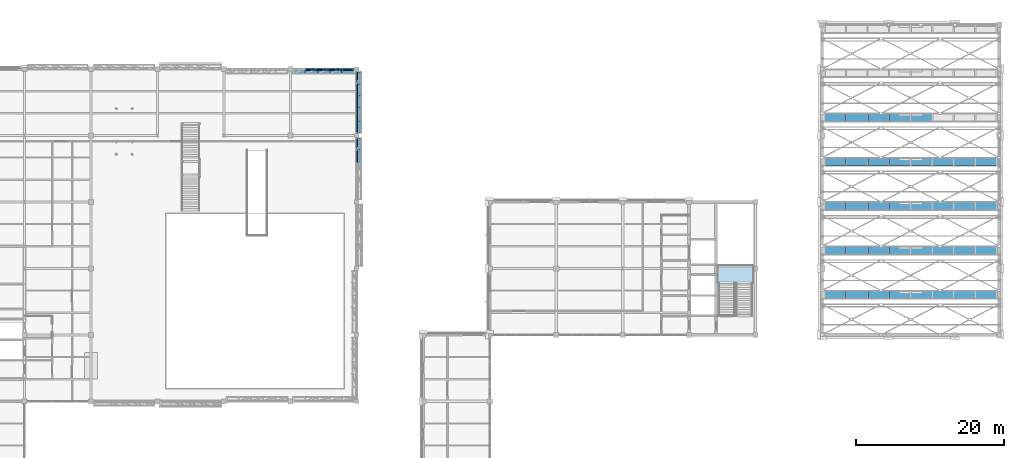
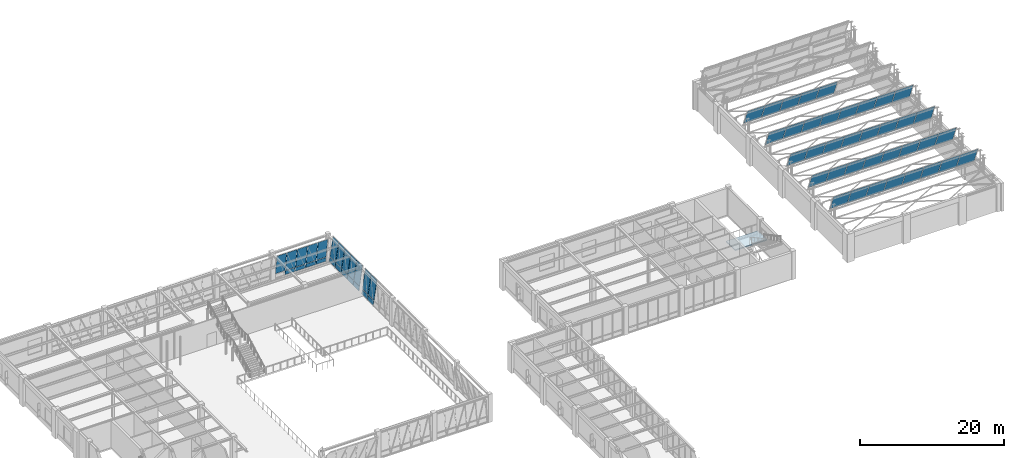
# One storey, part 73 of 98: 60 plates, 1 slab, 9 elements without a shape of their own.
"""IFC4 building model written with IfcOpenShell, lengths in metres."""

from ifc_helpers import new_model, si_unit, direction, frame, origin, origin_2d, place, context, subcontext, project, spatial, polyline, rectangle, outline, extrude, material, layer, layer_set, type_object, element, aggregate, save


model = new_model("IFC4")

# Units and contexts
model_context = context("Model", 3, precision=1e-05, world=origin(), true_north=direction((0.0, 1.0)))
body_context = subcontext(model_context, "Body", "Model", "MODEL_VIEW")
ifc_project = project(units=[si_unit("LENGTHUNIT", "METRE"), si_unit("AREAUNIT", "SQUARE_METRE"), si_unit("VOLUMEUNIT", "CUBIC_METRE"), si_unit("PLANEANGLEUNIT", "RADIAN"), si_unit("MASSUNIT", "GRAM", prefix="KILO")], contexts=[model_context])

# Site, building, storey
site_placement = place(None, origin())
site = spatial("IfcSite", under=ifc_project, at=site_placement, CompositionType="ELEMENT")
building_placement = place(site_placement, origin())
building = spatial("IfcBuilding", under=site, at=building_placement, Name="Lykobir Media Centre", CompositionType="ELEMENT")
storey_placement = place(building_placement, frame((0.0, 0.0, 10.199951171875)))
storey = spatial("IfcBuildingStorey", under=building, at=storey_placement, Name="L02", CompositionType="ELEMENT", Elevation=10.199951171875)

# Curtain wall, plates
ifc_material_1 = material(Name="Anodized Aluminium AW-6060", Category="aluminium")
curtain_wall_type_1 = type_object("IfcCurtainWallType", Name="CW-NL-V2", PredefinedType="NOTDEFINED", material=ifc_material_1)
curtain_wall_1_placement = place(storey_placement, origin())
curtain_wall_1 = element("IfcCurtainWall", 1, at=curtain_wall_1_placement, inside=storey, type_object=curtain_wall_type_1, Name="Curtain wall CW-NL-V2-01", PredefinedType="NOTDEFINED")
ifc_material_2 = material(Name="Low-E Laminated Triple Glazing", Category="glass")
ifc_layer_1 = layer(ifc_material_2, 0.031982421875, Name="Low-E Laminated Triple Glazing")
ifc_layer_set_1 = layer_set([ifc_layer_1], Name="Low-E Laminated Triple Glazing")
plate_type_1 = type_object("IfcPlateType", Name="CWP-GLZ-32", PredefinedType="CURTAIN_PANEL", material=ifc_layer_set_1)
plate_1_placement = place(storey_placement, frame((145.797607421875, 77.973876953125, 4.864990234375), z_axis=(0.0, -0.374606593416, 0.927183854567), x_axis=(1.0, 0.0, 0.0)))
plate_1 = element("IfcPlate", 2, at=plate_1_placement, type_object=plate_type_1, Name="CW-NL-V2-01 panel 1.1", PredefinedType="CURTAIN_PANEL", context=body_context, shape_type="SweptSolid", body=[
    extrude(rectangle(XDim=2.81494140625, YDim=0.031982421875, at=origin_2d()), origin(), (0.0, 0.0, 1.0), 2.889404296875),
])
plate_2_placement = place(storey_placement, frame((148.699951171875, 77.973876953125, 4.864990234375), z_axis=(0.0, -0.374606593416, 0.927183854567), x_axis=(1.0, 0.0, 0.0)))
plate_2 = element("IfcPlate", 3, at=plate_2_placement, type_object=plate_type_1, Name="CW-NL-V2-01 panel 2.1", PredefinedType="CURTAIN_PANEL", context=body_context, shape_type="SweptSolid", body=[
    extrude(rectangle(XDim=2.85009765625, YDim=0.031982421875, at=origin_2d()), origin(), (0.0, 0.0, 1.0), 2.889404296875),
])
plate_3_placement = place(storey_placement, frame((151.6201171875, 77.973876953125, 4.864990234375), z_axis=(0.0, -0.374606593416, 0.927183854567), x_axis=(1.0, 0.0, 0.0)))
plate_3 = element("IfcPlate", 4, at=plate_3_placement, type_object=plate_type_1, Name="CW-NL-V2-01 panel 3.1", PredefinedType="CURTAIN_PANEL", context=body_context, shape_type="SweptSolid", body=[
    extrude(rectangle(XDim=2.85009765625, YDim=0.031982421875, at=origin_2d()), origin(), (0.0, 0.0, 1.0), 2.889404296875),
])
plate_4_placement = place(storey_placement, frame((154.5400390625, 77.973876953125, 4.864990234375), z_axis=(0.0, -0.374606593416, 0.927183854567), x_axis=(1.0, 0.0, 0.0)))
plate_4 = element("IfcPlate", 5, at=plate_4_placement, type_object=plate_type_1, Name="CW-NL-V2-01 panel 4.1", PredefinedType="CURTAIN_PANEL", context=body_context, shape_type="SweptSolid", body=[
    extrude(rectangle(XDim=2.85009765625, YDim=0.031982421875, at=origin_2d()), origin(), (0.0, 0.0, 1.0), 2.889404296875),
])
plate_5_placement = place(storey_placement, frame((157.4599609375, 77.973876953125, 4.864990234375), z_axis=(0.0, -0.374606593416, 0.927183854567), x_axis=(1.0, 0.0, 0.0)))
plate_5 = element("IfcPlate", 6, at=plate_5_placement, type_object=plate_type_1, Name="CW-NL-V2-01 panel 5.1", PredefinedType="CURTAIN_PANEL", context=body_context, shape_type="SweptSolid", body=[
    extrude(rectangle(XDim=2.85009765625, YDim=0.031982421875, at=origin_2d()), origin(), (0.0, 0.0, 1.0), 2.889404296875),
])
plate_6_placement = place(storey_placement, frame((160.3798828125, 77.973876953125, 4.864990234375), z_axis=(0.0, -0.374606593416, 0.927183854567), x_axis=(1.0, 0.0, 0.0)))
plate_6 = element("IfcPlate", 7, at=plate_6_placement, type_object=plate_type_1, Name="CW-NL-V2-01 panel 6.1", PredefinedType="CURTAIN_PANEL", context=body_context, shape_type="SweptSolid", body=[
    extrude(rectangle(XDim=2.85009765625, YDim=0.031982421875, at=origin_2d()), origin(), (0.0, 0.0, 1.0), 2.889404296875),
])
plate_7_placement = place(storey_placement, frame((163.300048828125, 77.973876953125, 4.864990234375), z_axis=(0.0, -0.374606593416, 0.927183854567), x_axis=(1.0, 0.0, 0.0)))
plate_7 = element("IfcPlate", 8, at=plate_7_placement, type_object=plate_type_1, Name="CW-NL-V2-01 panel 7.1", PredefinedType="CURTAIN_PANEL", context=body_context, shape_type="SweptSolid", body=[
    extrude(rectangle(XDim=2.85009765625, YDim=0.031982421875, at=origin_2d()), origin(), (0.0, 0.0, 1.0), 2.889404296875),
])
plate_8_placement = place(storey_placement, frame((166.202392578125, 77.973876953125, 4.864990234375), z_axis=(0.0, -0.374606593416, 0.927183854567), x_axis=(1.0, 0.0, 0.0)))
plate_8 = element("IfcPlate", 9, at=plate_8_placement, type_object=plate_type_1, Name="CW-NL-V2-01 panel 8.1", PredefinedType="CURTAIN_PANEL", context=body_context, shape_type="SweptSolid", body=[
    extrude(rectangle(XDim=2.81494140625, YDim=0.031982421875, at=origin_2d()), origin(), (0.0, 0.0, 1.0), 2.889404296875),
])
aggregate(curtain_wall_1, [plate_1, plate_2, plate_3, plate_4, plate_5, plate_6, plate_7, plate_8])

curtain_wall_2_placement = place(storey_placement, origin())
curtain_wall_2 = element("IfcCurtainWall", 10, at=curtain_wall_2_placement, inside=storey, type_object=curtain_wall_type_1, Name="Curtain wall CW-NL-V2-02", PredefinedType="NOTDEFINED")
plate_9_placement = place(storey_placement, frame((145.797607421875, 83.973876953125, 4.864990234375), z_axis=(0.0, -0.374606593416, 0.927183854567), x_axis=(1.0, 0.0, 0.0)))
plate_9 = element("IfcPlate", 11, at=plate_9_placement, type_object=plate_type_1, Name="CW-NL-V2-02 panel 1.1", PredefinedType="CURTAIN_PANEL", context=body_context, shape_type="SweptSolid", body=[
    extrude(rectangle(XDim=2.81494140625, YDim=0.031982421875, at=origin_2d()), origin(), (0.0, 0.0, 1.0), 2.889404296875),
])
plate_10_placement = place(storey_placement, frame((148.699951171875, 83.973876953125, 4.864990234375), z_axis=(0.0, -0.374606593416, 0.927183854567), x_axis=(1.0, 0.0, 0.0)))
plate_10 = element("IfcPlate", 12, at=plate_10_placement, type_object=plate_type_1, Name="CW-NL-V2-02 panel 2.1", PredefinedType="CURTAIN_PANEL", context=body_context, shape_type="SweptSolid", body=[
    extrude(rectangle(XDim=2.85009765625, YDim=0.031982421875, at=origin_2d()), origin(), (0.0, 0.0, 1.0), 2.889404296875),
])
plate_11_placement = place(storey_placement, frame((151.6201171875, 83.973876953125, 4.864990234375), z_axis=(0.0, -0.374606593416, 0.927183854567), x_axis=(1.0, 0.0, 0.0)))
plate_11 = element("IfcPlate", 13, at=plate_11_placement, type_object=plate_type_1, Name="CW-NL-V2-02 panel 3.1", PredefinedType="CURTAIN_PANEL", context=body_context, shape_type="SweptSolid", body=[
    extrude(rectangle(XDim=2.85009765625, YDim=0.031982421875, at=origin_2d()), origin(), (0.0, 0.0, 1.0), 2.889404296875),
])
plate_12_placement = place(storey_placement, frame((154.5400390625, 83.973876953125, 4.864990234375), z_axis=(0.0, -0.374606593416, 0.927183854567), x_axis=(1.0, 0.0, 0.0)))
plate_12 = element("IfcPlate", 14, at=plate_12_placement, type_object=plate_type_1, Name="CW-NL-V2-02 panel 4.1", PredefinedType="CURTAIN_PANEL", context=body_context, shape_type="SweptSolid", body=[
    extrude(rectangle(XDim=2.85009765625, YDim=0.031982421875, at=origin_2d()), origin(), (0.0, 0.0, 1.0), 2.889404296875),
])
plate_13_placement = place(storey_placement, frame((157.4599609375, 83.973876953125, 4.864990234375), z_axis=(0.0, -0.374606593416, 0.927183854567), x_axis=(1.0, 0.0, 0.0)))
plate_13 = element("IfcPlate", 15, at=plate_13_placement, type_object=plate_type_1, Name="CW-NL-V2-02 panel 5.1", PredefinedType="CURTAIN_PANEL", context=body_context, shape_type="SweptSolid", body=[
    extrude(rectangle(XDim=2.85009765625, YDim=0.031982421875, at=origin_2d()), origin(), (0.0, 0.0, 1.0), 2.889404296875),
])
plate_14_placement = place(storey_placement, frame((160.3798828125, 83.973876953125, 4.864990234375), z_axis=(0.0, -0.374606593416, 0.927183854567), x_axis=(1.0, 0.0, 0.0)))
plate_14 = element("IfcPlate", 16, at=plate_14_placement, type_object=plate_type_1, Name="CW-NL-V2-02 panel 6.1", PredefinedType="CURTAIN_PANEL", context=body_context, shape_type="SweptSolid", body=[
    extrude(rectangle(XDim=2.85009765625, YDim=0.031982421875, at=origin_2d()), origin(), (0.0, 0.0, 1.0), 2.889404296875),
])
plate_15_placement = place(storey_placement, frame((163.300048828125, 83.973876953125, 4.864990234375), z_axis=(0.0, -0.374606593416, 0.927183854567), x_axis=(1.0, 0.0, 0.0)))
plate_15 = element("IfcPlate", 17, at=plate_15_placement, type_object=plate_type_1, Name="CW-NL-V2-02 panel 7.1", PredefinedType="CURTAIN_PANEL", context=body_context, shape_type="SweptSolid", body=[
    extrude(rectangle(XDim=2.85009765625, YDim=0.031982421875, at=origin_2d()), origin(), (0.0, 0.0, 1.0), 2.889404296875),
])
plate_16_placement = place(storey_placement, frame((166.202392578125, 83.973876953125, 4.864990234375), z_axis=(0.0, -0.374606593416, 0.927183854567), x_axis=(1.0, 0.0, 0.0)))
plate_16 = element("IfcPlate", 18, at=plate_16_placement, type_object=plate_type_1, Name="CW-NL-V2-02 panel 8.1", PredefinedType="CURTAIN_PANEL", context=body_context, shape_type="SweptSolid", body=[
    extrude(rectangle(XDim=2.81494140625, YDim=0.031982421875, at=origin_2d()), origin(), (0.0, 0.0, 1.0), 2.889404296875),
])
aggregate(curtain_wall_2, [plate_9, plate_10, plate_11, plate_12, plate_13, plate_14, plate_15, plate_16])

curtain_wall_3_placement = place(storey_placement, origin())
curtain_wall_3 = element("IfcCurtainWall", 19, at=curtain_wall_3_placement, inside=storey, type_object=curtain_wall_type_1, Name="Curtain wall CW-NL-V2-03", PredefinedType="NOTDEFINED")
plate_17_placement = place(storey_placement, frame((145.797607421875, 89.973876953125, 4.864990234375), z_axis=(0.0, -0.374606593416, 0.927183854567), x_axis=(1.0, 0.0, 0.0)))
plate_17 = element("IfcPlate", 20, at=plate_17_placement, type_object=plate_type_1, Name="CW-NL-V2-03 panel 1.1", PredefinedType="CURTAIN_PANEL", context=body_context, shape_type="SweptSolid", body=[
    extrude(rectangle(XDim=2.81494140625, YDim=0.031982421875, at=origin_2d()), origin(), (0.0, 0.0, 1.0), 2.889404296875),
])
plate_18_placement = place(storey_placement, frame((148.699951171875, 89.973876953125, 4.864990234375), z_axis=(0.0, -0.374606593416, 0.927183854567), x_axis=(1.0, 0.0, 0.0)))
plate_18 = element("IfcPlate", 21, at=plate_18_placement, type_object=plate_type_1, Name="CW-NL-V2-03 panel 2.1", PredefinedType="CURTAIN_PANEL", context=body_context, shape_type="SweptSolid", body=[
    extrude(rectangle(XDim=2.85009765625, YDim=0.031982421875, at=origin_2d()), origin(), (0.0, 0.0, 1.0), 2.889404296875),
])
plate_19_placement = place(storey_placement, frame((151.6201171875, 89.973876953125, 4.864990234375), z_axis=(0.0, -0.374606593416, 0.927183854567), x_axis=(1.0, 0.0, 0.0)))
plate_19 = element("IfcPlate", 22, at=plate_19_placement, type_object=plate_type_1, Name="CW-NL-V2-03 panel 3.1", PredefinedType="CURTAIN_PANEL", context=body_context, shape_type="SweptSolid", body=[
    extrude(rectangle(XDim=2.85009765625, YDim=0.031982421875, at=origin_2d()), origin(), (0.0, 0.0, 1.0), 2.889404296875),
])
plate_20_placement = place(storey_placement, frame((154.5400390625, 89.973876953125, 4.864990234375), z_axis=(0.0, -0.374606593416, 0.927183854567), x_axis=(1.0, 0.0, 0.0)))
plate_20 = element("IfcPlate", 23, at=plate_20_placement, type_object=plate_type_1, Name="CW-NL-V2-03 panel 4.1", PredefinedType="CURTAIN_PANEL", context=body_context, shape_type="SweptSolid", body=[
    extrude(rectangle(XDim=2.85009765625, YDim=0.031982421875, at=origin_2d()), origin(), (0.0, 0.0, 1.0), 2.889404296875),
])
plate_21_placement = place(storey_placement, frame((157.4599609375, 89.973876953125, 4.864990234375), z_axis=(0.0, -0.374606593416, 0.927183854567), x_axis=(1.0, 0.0, 0.0)))
plate_21 = element("IfcPlate", 24, at=plate_21_placement, type_object=plate_type_1, Name="CW-NL-V2-03 panel 5.1", PredefinedType="CURTAIN_PANEL", context=body_context, shape_type="SweptSolid", body=[
    extrude(rectangle(XDim=2.85009765625, YDim=0.031982421875, at=origin_2d()), origin(), (0.0, 0.0, 1.0), 2.889404296875),
])
plate_22_placement = place(storey_placement, frame((160.3798828125, 89.973876953125, 4.864990234375), z_axis=(0.0, -0.374606593416, 0.927183854567), x_axis=(1.0, 0.0, 0.0)))
plate_22 = element("IfcPlate", 25, at=plate_22_placement, type_object=plate_type_1, Name="CW-NL-V2-03 panel 6.1", PredefinedType="CURTAIN_PANEL", context=body_context, shape_type="SweptSolid", body=[
    extrude(rectangle(XDim=2.85009765625, YDim=0.031982421875, at=origin_2d()), origin(), (0.0, 0.0, 1.0), 2.889404296875),
])
plate_23_placement = place(storey_placement, frame((163.300048828125, 89.973876953125, 4.864990234375), z_axis=(0.0, -0.374606593416, 0.927183854567), x_axis=(1.0, 0.0, 0.0)))
plate_23 = element("IfcPlate", 26, at=plate_23_placement, type_object=plate_type_1, Name="CW-NL-V2-03 panel 7.1", PredefinedType="CURTAIN_PANEL", context=body_context, shape_type="SweptSolid", body=[
    extrude(rectangle(XDim=2.85009765625, YDim=0.031982421875, at=origin_2d()), origin(), (0.0, 0.0, 1.0), 2.889404296875),
])
plate_24_placement = place(storey_placement, frame((166.202392578125, 89.973876953125, 4.864990234375), z_axis=(0.0, -0.374606593416, 0.927183854567), x_axis=(1.0, 0.0, 0.0)))
plate_24 = element("IfcPlate", 27, at=plate_24_placement, type_object=plate_type_1, Name="CW-NL-V2-03 panel 8.1", PredefinedType="CURTAIN_PANEL", context=body_context, shape_type="SweptSolid", body=[
    extrude(rectangle(XDim=2.81494140625, YDim=0.031982421875, at=origin_2d()), origin(), (0.0, 0.0, 1.0), 2.889404296875),
])
aggregate(curtain_wall_3, [plate_17, plate_18, plate_19, plate_20, plate_21, plate_22, plate_23, plate_24])

curtain_wall_4_placement = place(storey_placement, origin())
curtain_wall_4 = element("IfcCurtainWall", 28, at=curtain_wall_4_placement, inside=storey, type_object=curtain_wall_type_1, Name="Curtain wall CW-NL-V2-04", PredefinedType="NOTDEFINED")
plate_25_placement = place(storey_placement, frame((145.797607421875, 95.973876953125, 4.864990234375), z_axis=(0.0, -0.374606593416, 0.927183854567), x_axis=(1.0, 0.0, 0.0)))
plate_25 = element("IfcPlate", 29, at=plate_25_placement, type_object=plate_type_1, Name="CW-NL-V2-04 panel 1.1", PredefinedType="CURTAIN_PANEL", context=body_context, shape_type="SweptSolid", body=[
    extrude(rectangle(XDim=2.81494140625, YDim=0.031982421875, at=origin_2d()), origin(), (0.0, 0.0, 1.0), 2.889404296875),
])
plate_26_placement = place(storey_placement, frame((148.699951171875, 95.973876953125, 4.864990234375), z_axis=(0.0, -0.374606593416, 0.927183854567), x_axis=(1.0, 0.0, 0.0)))
plate_26 = element("IfcPlate", 30, at=plate_26_placement, type_object=plate_type_1, Name="CW-NL-V2-04 panel 2.1", PredefinedType="CURTAIN_PANEL", context=body_context, shape_type="SweptSolid", body=[
    extrude(rectangle(XDim=2.85009765625, YDim=0.031982421875, at=origin_2d()), origin(), (0.0, 0.0, 1.0), 2.889404296875),
])
plate_27_placement = place(storey_placement, frame((151.6201171875, 95.973876953125, 4.864990234375), z_axis=(0.0, -0.374606593416, 0.927183854567), x_axis=(1.0, 0.0, 0.0)))
plate_27 = element("IfcPlate", 31, at=plate_27_placement, type_object=plate_type_1, Name="CW-NL-V2-04 panel 3.1", PredefinedType="CURTAIN_PANEL", context=body_context, shape_type="SweptSolid", body=[
    extrude(rectangle(XDim=2.85009765625, YDim=0.031982421875, at=origin_2d()), origin(), (0.0, 0.0, 1.0), 2.889404296875),
])
plate_28_placement = place(storey_placement, frame((154.5400390625, 95.973876953125, 4.864990234375), z_axis=(0.0, -0.374606593416, 0.927183854567), x_axis=(1.0, 0.0, 0.0)))
plate_28 = element("IfcPlate", 32, at=plate_28_placement, type_object=plate_type_1, Name="CW-NL-V2-04 panel 4.1", PredefinedType="CURTAIN_PANEL", context=body_context, shape_type="SweptSolid", body=[
    extrude(rectangle(XDim=2.85009765625, YDim=0.031982421875, at=origin_2d()), origin(), (0.0, 0.0, 1.0), 2.889404296875),
])
plate_29_placement = place(storey_placement, frame((157.4599609375, 95.973876953125, 4.864990234375), z_axis=(0.0, -0.374606593416, 0.927183854567), x_axis=(1.0, 0.0, 0.0)))
plate_29 = element("IfcPlate", 33, at=plate_29_placement, type_object=plate_type_1, Name="CW-NL-V2-04 panel 5.1", PredefinedType="CURTAIN_PANEL", context=body_context, shape_type="SweptSolid", body=[
    extrude(rectangle(XDim=2.85009765625, YDim=0.031982421875, at=origin_2d()), origin(), (0.0, 0.0, 1.0), 2.889404296875),
])
plate_30_placement = place(storey_placement, frame((160.3798828125, 95.973876953125, 4.864990234375), z_axis=(0.0, -0.374606593416, 0.927183854567), x_axis=(1.0, 0.0, 0.0)))
plate_30 = element("IfcPlate", 34, at=plate_30_placement, type_object=plate_type_1, Name="CW-NL-V2-04 panel 6.1", PredefinedType="CURTAIN_PANEL", context=body_context, shape_type="SweptSolid", body=[
    extrude(rectangle(XDim=2.85009765625, YDim=0.031982421875, at=origin_2d()), origin(), (0.0, 0.0, 1.0), 2.889404296875),
])
plate_31_placement = place(storey_placement, frame((163.300048828125, 95.973876953125, 4.864990234375), z_axis=(0.0, -0.374606593416, 0.927183854567), x_axis=(1.0, 0.0, 0.0)))
plate_31 = element("IfcPlate", 35, at=plate_31_placement, type_object=plate_type_1, Name="CW-NL-V2-04 panel 7.1", PredefinedType="CURTAIN_PANEL", context=body_context, shape_type="SweptSolid", body=[
    extrude(rectangle(XDim=2.85009765625, YDim=0.031982421875, at=origin_2d()), origin(), (0.0, 0.0, 1.0), 2.889404296875),
])
plate_32_placement = place(storey_placement, frame((166.202392578125, 95.973876953125, 4.864990234375), z_axis=(0.0, -0.374606593416, 0.927183854567), x_axis=(1.0, 0.0, 0.0)))
plate_32 = element("IfcPlate", 36, at=plate_32_placement, type_object=plate_type_1, Name="CW-NL-V2-04 panel 8.1", PredefinedType="CURTAIN_PANEL", context=body_context, shape_type="SweptSolid", body=[
    extrude(rectangle(XDim=2.81494140625, YDim=0.031982421875, at=origin_2d()), origin(), (0.0, 0.0, 1.0), 2.889404296875),
])
aggregate(curtain_wall_4, [plate_25, plate_26, plate_27, plate_28, plate_29, plate_30, plate_31, plate_32])

curtain_wall_5_placement = place(storey_placement, origin())
curtain_wall_5 = element("IfcCurtainWall", 37, at=curtain_wall_5_placement, inside=storey, type_object=curtain_wall_type_1, Name="Curtain wall CW-NL-V2-05", PredefinedType="NOTDEFINED")
plate_33_placement = place(storey_placement, frame((145.797607421875, 101.973876953125, 4.864990234375), z_axis=(0.0, -0.374606593416, 0.927183854567), x_axis=(1.0, 0.0, 0.0)))
plate_33 = element("IfcPlate", 38, at=plate_33_placement, type_object=plate_type_1, Name="CW-NL-V2-05 panel 1.1", PredefinedType="CURTAIN_PANEL", context=body_context, shape_type="SweptSolid", body=[
    extrude(rectangle(XDim=2.81494140625, YDim=0.031982421875, at=origin_2d()), origin(), (0.0, 0.0, 1.0), 2.889404296875),
])
plate_34_placement = place(storey_placement, frame((148.699951171875, 101.973876953125, 4.864990234375), z_axis=(0.0, -0.374606593416, 0.927183854567), x_axis=(1.0, 0.0, 0.0)))
plate_34 = element("IfcPlate", 39, at=plate_34_placement, type_object=plate_type_1, Name="CW-NL-V2-05 panel 2.1", PredefinedType="CURTAIN_PANEL", context=body_context, shape_type="SweptSolid", body=[
    extrude(rectangle(XDim=2.85009765625, YDim=0.031982421875, at=origin_2d()), origin(), (0.0, 0.0, 1.0), 2.889404296875),
])
plate_35_placement = place(storey_placement, frame((151.6201171875, 101.973876953125, 4.864990234375), z_axis=(0.0, -0.374606593416, 0.927183854567), x_axis=(1.0, 0.0, 0.0)))
plate_35 = element("IfcPlate", 40, at=plate_35_placement, type_object=plate_type_1, Name="CW-NL-V2-05 panel 3.1", PredefinedType="CURTAIN_PANEL", context=body_context, shape_type="SweptSolid", body=[
    extrude(rectangle(XDim=2.85009765625, YDim=0.031982421875, at=origin_2d()), origin(), (0.0, 0.0, 1.0), 2.889404296875),
])
plate_36_placement = place(storey_placement, frame((154.5400390625, 101.973876953125, 4.864990234375), z_axis=(0.0, -0.374606593416, 0.927183854567), x_axis=(1.0, 0.0, 0.0)))
plate_36 = element("IfcPlate", 41, at=plate_36_placement, type_object=plate_type_1, Name="CW-NL-V2-05 panel 4.1", PredefinedType="CURTAIN_PANEL", context=body_context, shape_type="SweptSolid", body=[
    extrude(rectangle(XDim=2.85009765625, YDim=0.031982421875, at=origin_2d()), origin(), (0.0, 0.0, 1.0), 2.889404296875),
])
plate_37_placement = place(storey_placement, frame((157.4599609375, 101.973876953125, 4.864990234375), z_axis=(0.0, -0.374606593416, 0.927183854567), x_axis=(1.0, 0.0, 0.0)))
plate_37 = element("IfcPlate", 42, at=plate_37_placement, type_object=plate_type_1, Name="CW-NL-V2-05 panel 5.1", PredefinedType="CURTAIN_PANEL", context=body_context, shape_type="SweptSolid", body=[
    extrude(rectangle(XDim=2.85009765625, YDim=0.031982421875, at=origin_2d()), origin(), (0.0, 0.0, 1.0), 2.889404296875),
])
aggregate(curtain_wall_5, [plate_33, plate_34, plate_35, plate_36, plate_37])

curtain_wall_type_2 = type_object("IfcCurtainWallType", Name="CW-V6-CR2", PredefinedType="NOTDEFINED", material=ifc_material_1)
curtain_wall_6_placement = place(storey_placement, origin())
curtain_wall_6 = element("IfcCurtainWall", 43, at=curtain_wall_6_placement, inside=storey, type_object=curtain_wall_type_2, Name="Curtain wall CW2-L02-0090", PredefinedType="NOTDEFINED")
ifc_layer_2 = layer(ifc_material_2, 0.0439453125, Name="Low-E Laminated Triple Glazing")
ifc_layer_set_2 = layer_set([ifc_layer_2], Name="Low-E Laminated Triple Glazing")
plate_type_2 = type_object("IfcPlateType", Name="CWP-GLZ-44", PredefinedType="CURTAIN_PANEL", material=ifc_layer_set_2)
plate_38_placement = place(storey_placement, frame((81.126708984375, 96.177978515625, 0.87841796875), z_axis=(0.142628933706, 0.0, 0.989776230908), x_axis=(0.0, 1.0, 0.0)))
plate_38 = element("IfcPlate", 44, at=plate_38_placement, type_object=plate_type_2, Name="CW2-L02-0090 panel 4.2", PredefinedType="CURTAIN_PANEL", context=body_context, shape_type="SweptSolid", body=[
    extrude(rectangle(XDim=1.60302734375, YDim=0.0439453125, at=origin_2d()), origin(), (0.0, 0.0, 1.0), 3.316162109375),
])
plate_39_placement = place(storey_placement, frame((81.126708984375, 97.837158203125, 0.87841796875), z_axis=(0.142628933706, 0.0, 0.989776230908), x_axis=(0.0, 1.0, 0.0)))
plate_39 = element("IfcPlate", 45, at=plate_39_placement, type_object=plate_type_2, Name="CW2-L02-0090 panel 5.2", PredefinedType="CURTAIN_PANEL", context=body_context, shape_type="SweptSolid", body=[
    extrude(rectangle(XDim=1.5654296875, YDim=0.0439453125, at=origin_2d()), origin(), (0.0, 0.0, 1.0), 3.316162109375),
])

curtain_wall_7_placement = place(storey_placement, origin())
curtain_wall_7 = element("IfcCurtainWall", 46, at=curtain_wall_7_placement, inside=storey, type_object=curtain_wall_type_2, Name="Curtain wall CW2-L02-0091", PredefinedType="NOTDEFINED")
plate_40_placement = place(storey_placement, frame((81.126708984375, 100.162841796875, 0.87841796875), z_axis=(0.142628933706, 0.0, 0.989776230908), x_axis=(0.0, 1.0, 0.0)))
plate_40 = element("IfcPlate", 47, at=plate_40_placement, type_object=plate_type_2, Name="CW2-L02-0091 panel 1.2", PredefinedType="CURTAIN_PANEL", context=body_context, shape_type="SweptSolid", body=[
    extrude(rectangle(XDim=1.5654296875, YDim=0.0439453125, at=origin_2d()), origin(), (0.0, 0.0, 1.0), 3.316162109375),
])
plate_41_placement = place(storey_placement, frame((81.126708984375, 101.822021484375, 0.87841796875), z_axis=(0.142628933706, 0.0, 0.989776230908), x_axis=(0.0, 1.0, 0.0)))
plate_41 = element("IfcPlate", 48, at=plate_41_placement, type_object=plate_type_2, Name="CW2-L02-0091 panel 2.2", PredefinedType="CURTAIN_PANEL", context=body_context, shape_type="SweptSolid", body=[
    extrude(rectangle(XDim=1.60302734375, YDim=0.0439453125, at=origin_2d()), origin(), (0.0, 0.0, 1.0), 3.316162109375),
])
plate_42_placement = place(storey_placement, frame((81.126708984375, 103.5, 0.87841796875), z_axis=(0.142628933706, 0.0, 0.989776230908), x_axis=(0.0, 1.0, 0.0)))
plate_42 = element("IfcPlate", 49, at=plate_42_placement, type_object=plate_type_2, Name="CW2-L02-0091 panel 3.2", PredefinedType="CURTAIN_PANEL", context=body_context, shape_type="SweptSolid", body=[
    extrude(rectangle(XDim=1.60302734375, YDim=0.0439453125, at=origin_2d()), origin(), (0.0, 0.0, 1.0), 3.316162109375),
])
plate_43_placement = place(storey_placement, frame((81.126708984375, 105.177978515625, 0.87841796875), z_axis=(0.142628933706, 0.0, 0.989776230908), x_axis=(0.0, 1.0, 0.0)))
plate_43 = element("IfcPlate", 50, at=plate_43_placement, type_object=plate_type_2, Name="CW2-L02-0091 panel 4.2", PredefinedType="CURTAIN_PANEL", context=body_context, shape_type="SweptSolid", body=[
    extrude(rectangle(XDim=1.60302734375, YDim=0.0439453125, at=origin_2d()), origin(), (0.0, 0.0, 1.0), 3.316162109375),
])
plate_44_placement = place(storey_placement, frame((81.126708984375, 106.837158203125, 0.87841796875), z_axis=(0.142628933706, 0.0, 0.989776230908), x_axis=(0.0, 1.0, 0.0)))
plate_44 = element("IfcPlate", 51, at=plate_44_placement, type_object=plate_type_2, Name="CW2-L02-0091 panel 5.2", PredefinedType="CURTAIN_PANEL", context=body_context, shape_type="SweptSolid", body=[
    extrude(rectangle(XDim=1.5654296875, YDim=0.0439453125, at=origin_2d()), origin(), (0.0, 0.0, 1.0), 3.316162109375),
])

curtain_wall_8_placement = place(storey_placement, origin())
curtain_wall_8 = element("IfcCurtainWall", 52, at=curtain_wall_8_placement, inside=storey, type_object=curtain_wall_type_2, Name="Curtain wall CW2-L02-0096", PredefinedType="NOTDEFINED")
plate_45_placement = place(storey_placement, frame((73.207763671875, 107.873291015625, 0.87841796875), z_axis=(0.0, -0.142628933706, 0.989776230908), x_axis=(1.0, 0.0, 0.0)))
plate_45 = element("IfcPlate", 53, at=plate_45_placement, type_object=plate_type_2, Name="CW2-L02-0096 panel 1.2", PredefinedType="CURTAIN_PANEL", context=body_context, shape_type="SweptSolid", body=[
    extrude(rectangle(XDim=1.555419921875, YDim=0.0439453125, at=origin_2d()), origin(), (0.0, 0.0, 1.0), 3.316162109375),
])
plate_46_placement = place(storey_placement, frame((74.85693359375, 107.873291015625, 0.87841796875), z_axis=(0.0, -0.142628933706, 0.989776230908), x_axis=(1.0, 0.0, 0.0)))
plate_46 = element("IfcPlate", 54, at=plate_46_placement, type_object=plate_type_2, Name="CW2-L02-0096 panel 2.2", PredefinedType="CURTAIN_PANEL", context=body_context, shape_type="SweptSolid", body=[
    extrude(rectangle(XDim=1.593017578125, YDim=0.0439453125, at=origin_2d()), origin(), (0.0, 0.0, 1.0), 3.316162109375),
])
plate_47_placement = place(storey_placement, frame((76.52490234375, 107.873291015625, 0.87841796875), z_axis=(0.0, -0.142628933706, 0.989776230908), x_axis=(1.0, 0.0, 0.0)))
plate_47 = element("IfcPlate", 55, at=plate_47_placement, type_object=plate_type_2, Name="CW2-L02-0096 panel 3.2", PredefinedType="CURTAIN_PANEL", context=body_context, shape_type="SweptSolid", body=[
    extrude(rectangle(XDim=1.593017578125, YDim=0.0439453125, at=origin_2d()), origin(), (0.0, 0.0, 1.0), 3.316162109375),
])
plate_48_placement = place(storey_placement, frame((78.193115234375, 107.873291015625, 0.87841796875), z_axis=(0.0, -0.142628933706, 0.989776230908), x_axis=(1.0, 0.0, 0.0)))
plate_48 = element("IfcPlate", 56, at=plate_48_placement, type_object=plate_type_2, Name="CW2-L02-0096 panel 4.2", PredefinedType="CURTAIN_PANEL", context=body_context, shape_type="SweptSolid", body=[
    extrude(rectangle(XDim=1.593017578125, YDim=0.0439453125, at=origin_2d()), origin(), (0.0, 0.0, 1.0), 3.316162109375),
])
plate_49_placement = place(storey_placement, frame((79.84228515625, 107.873291015625, 0.87841796875), z_axis=(0.0, -0.142628933706, 0.989776230908), x_axis=(1.0, 0.0, 0.0)))
plate_49 = element("IfcPlate", 57, at=plate_49_placement, type_object=plate_type_2, Name="CW2-L02-0096 panel 5.2", PredefinedType="CURTAIN_PANEL", context=body_context, shape_type="SweptSolid", body=[
    extrude(rectangle(XDim=1.555419921875, YDim=0.0439453125, at=origin_2d()), origin(), (0.0, 0.0, 1.0), 3.316162109375),
])
ifc_material_3 = material(Name="Pre-Weathered Titanium-Zinc", Category="metal")
ifc_layer_3 = layer(ifc_material_3, 0.052001953125, Name="Pre-Weathered Titanium-Zinc")
ifc_layer_set_3 = layer_set([ifc_layer_3], Name="Pre-Weathered Titanium-Zinc")
plate_type_3 = type_object("IfcPlateType", Name="CWP-SPN-52", PredefinedType="CURTAIN_PANEL", material=ifc_layer_set_3)
plate_50_placement = place(storey_placement, frame((74.85693359375, 107.9892578125, 0.07421875), z_axis=(0.0, -0.142628933706, 0.989776230908), x_axis=(1.0, 0.0, 0.0)))
plate_50 = element("IfcPlate", 58, at=plate_50_placement, type_object=plate_type_3, Name="CW2-L02-0096 panel 2.1", PredefinedType="CURTAIN_PANEL", context=body_context, shape_type="SweptSolid", body=[
    extrude(rectangle(XDim=1.593017578125, YDim=0.052001953125, at=origin_2d()), origin(), (0.0, 0.0, 1.0), 0.737548828125),
])
plate_51_placement = place(storey_placement, frame((76.52490234375, 107.9892578125, 0.07421875), z_axis=(0.0, -0.142628933706, 0.989776230908), x_axis=(1.0, 0.0, 0.0)))
plate_51 = element("IfcPlate", 59, at=plate_51_placement, type_object=plate_type_3, Name="CW2-L02-0096 panel 3.1", PredefinedType="CURTAIN_PANEL", context=body_context, shape_type="SweptSolid", body=[
    extrude(rectangle(XDim=1.593017578125, YDim=0.052001953125, at=origin_2d()), origin(), (0.0, 0.0, 1.0), 0.737548828125),
])
plate_52_placement = place(storey_placement, frame((78.193115234375, 107.9892578125, 0.07421875), z_axis=(0.0, -0.142628933706, 0.989776230908), x_axis=(1.0, 0.0, 0.0)))
plate_52 = element("IfcPlate", 60, at=plate_52_placement, type_object=plate_type_3, Name="CW2-L02-0096 panel 4.1", PredefinedType="CURTAIN_PANEL", context=body_context, shape_type="SweptSolid", body=[
    extrude(rectangle(XDim=1.593017578125, YDim=0.052001953125, at=origin_2d()), origin(), (0.0, 0.0, 1.0), 0.737548828125),
])
plate_53_placement = place(storey_placement, frame((79.84228515625, 107.9892578125, 0.07421875), z_axis=(0.0, -0.142628933706, 0.989776230908), x_axis=(1.0, 0.0, 0.0)))
plate_53 = element("IfcPlate", 61, at=plate_53_placement, type_object=plate_type_3, Name="CW2-L02-0096 panel 5.1", PredefinedType="CURTAIN_PANEL", context=body_context, shape_type="SweptSolid", body=[
    extrude(rectangle(XDim=1.555419921875, YDim=0.052001953125, at=origin_2d()), origin(), (0.0, 0.0, 1.0), 0.737548828125),
])
aggregate(curtain_wall_8, [plate_45, plate_50, plate_46, plate_51, plate_47, plate_52, plate_48, plate_53, plate_49])

# Plate
ifc_material_4 = material(Name="Glazed Turquoise Terracotta", Category="masonry")
ifc_layer_4 = layer(ifc_material_4, 0.06005859375, Name="Glazed Turquoise Terracotta")
ifc_layer_set_4 = layer_set([ifc_layer_4], Name="Glazed Turquoise Terracotta")
plate_type_4 = type_object("IfcPlateType", Name="CWP-SPN-60", PredefinedType="CURTAIN_PANEL", material=ifc_layer_set_4)
plate_54_placement = place(storey_placement, frame((81.0107421875, 96.177978515625, 0.07421875), z_axis=(0.142628933706, 0.0, 0.989776230908), x_axis=(0.0, 1.0, 0.0)))
plate_54 = element("IfcPlate", 62, at=plate_54_placement, type_object=plate_type_4, Name="CW2-L02-0090 panel 4.1", PredefinedType="CURTAIN_PANEL", context=body_context, shape_type="SweptSolid", body=[
    extrude(rectangle(XDim=1.60302734375, YDim=0.06005859375, at=origin_2d()), origin(), (0.0, 0.0, 1.0), 0.737548828125),
])

plate_55_placement = place(storey_placement, frame((81.0107421875, 97.837158203125, 0.07421875), z_axis=(0.142628933706, 0.0, 0.989776230908), x_axis=(0.0, 1.0, 0.0)))
plate_55 = element("IfcPlate", 63, at=plate_55_placement, type_object=plate_type_4, Name="CW2-L02-0090 panel 5.1", PredefinedType="CURTAIN_PANEL", context=body_context, shape_type="SweptSolid", body=[
    extrude(rectangle(XDim=1.5654296875, YDim=0.06005859375, at=origin_2d()), origin(), (0.0, 0.0, 1.0), 0.737548828125),
])

aggregate(curtain_wall_6, [plate_54, plate_38, plate_55, plate_39])

plate_56_placement = place(storey_placement, frame((81.0107421875, 100.162841796875, 0.07421875), z_axis=(0.142628933706, 0.0, 0.989776230908), x_axis=(0.0, 1.0, 0.0)))
plate_56 = element("IfcPlate", 64, at=plate_56_placement, type_object=plate_type_4, Name="CW2-L02-0091 panel 1.1", PredefinedType="CURTAIN_PANEL", context=body_context, shape_type="SweptSolid", body=[
    extrude(rectangle(XDim=1.5654296875, YDim=0.06005859375, at=origin_2d()), origin(), (0.0, 0.0, 1.0), 0.737548828125),
])

plate_57_placement = place(storey_placement, frame((81.0107421875, 101.822021484375, 0.07421875), z_axis=(0.142628933706, 0.0, 0.989776230908), x_axis=(0.0, 1.0, 0.0)))
plate_57 = element("IfcPlate", 65, at=plate_57_placement, type_object=plate_type_4, Name="CW2-L02-0091 panel 2.1", PredefinedType="CURTAIN_PANEL", context=body_context, shape_type="SweptSolid", body=[
    extrude(rectangle(XDim=1.60302734375, YDim=0.06005859375, at=origin_2d()), origin(), (0.0, 0.0, 1.0), 0.737548828125),
])

plate_58_placement = place(storey_placement, frame((81.0107421875, 103.5, 0.07421875), z_axis=(0.142628933706, 0.0, 0.989776230908), x_axis=(0.0, 1.0, 0.0)))
plate_58 = element("IfcPlate", 66, at=plate_58_placement, type_object=plate_type_4, Name="CW2-L02-0091 panel 3.1", PredefinedType="CURTAIN_PANEL", context=body_context, shape_type="SweptSolid", body=[
    extrude(rectangle(XDim=1.60302734375, YDim=0.06005859375, at=origin_2d()), origin(), (0.0, 0.0, 1.0), 0.737548828125),
])

plate_59_placement = place(storey_placement, frame((81.0107421875, 105.177978515625, 0.07421875), z_axis=(0.142628933706, 0.0, 0.989776230908), x_axis=(0.0, 1.0, 0.0)))
plate_59 = element("IfcPlate", 67, at=plate_59_placement, type_object=plate_type_4, Name="CW2-L02-0091 panel 4.1", PredefinedType="CURTAIN_PANEL", context=body_context, shape_type="SweptSolid", body=[
    extrude(rectangle(XDim=1.60302734375, YDim=0.06005859375, at=origin_2d()), origin(), (0.0, 0.0, 1.0), 0.737548828125),
])

plate_60_placement = place(storey_placement, frame((81.0107421875, 106.837158203125, 0.07421875), z_axis=(0.142628933706, 0.0, 0.989776230908), x_axis=(0.0, 1.0, 0.0)))
plate_60 = element("IfcPlate", 68, at=plate_60_placement, type_object=plate_type_4, Name="CW2-L02-0091 panel 5.1", PredefinedType="CURTAIN_PANEL", context=body_context, shape_type="SweptSolid", body=[
    extrude(rectangle(XDim=1.5654296875, YDim=0.06005859375, at=origin_2d()), origin(), (0.0, 0.0, 1.0), 0.737548828125),
])

aggregate(curtain_wall_7, [plate_56, plate_40, plate_57, plate_41, plate_58, plate_42, plate_59, plate_43, plate_60, plate_44])

# Stair, slab
ifc_material_5 = material(Name="Concrete C30/37", Category="concrete")
stair_type = type_object("IfcStairType", Name="ST-HT-480", PredefinedType="HALF_TURN_STAIR", material=ifc_material_5)
stair_placement = place(storey_placement, origin())
stair = element("IfcStair", 69, at=stair_placement, inside=storey, type_object=stair_type, Name="Escape stair ST-4 L02", PredefinedType="HALF_TURN_STAIR")
ifc_layer_5 = layer(ifc_material_5, 0.195068359375, Name="Concrete C30/37")
ifc_layer_set_5 = layer_set([ifc_layer_5], Name="Concrete C30/37")
slab_type = type_object("IfcSlabType", Name="SL-195", PredefinedType="LANDING", material=ifc_layer_set_5)
slab_placement = place(storey_placement, frame((0.0, 0.0, 2.205078125)))
slab = element("IfcSlab", 70, at=slab_placement, type_object=slab_type, Name="ST-4-L02 landing 1", PredefinedType="LANDING", context=body_context, shape_type="SweptSolid", body=[
    extrude(outline(polyline([(129.72998046875, 78.949951171875), (134.8701171875, 78.949951171875), (134.8701171875, 81.429931640625), (129.72998046875, 81.429931640625), (129.72998046875, 78.949951171875)])), origin(), (0.0, 0.0, 1.0), 0.195068359375),
])
aggregate(stair, [slab])

save(model, "model.ifc")
